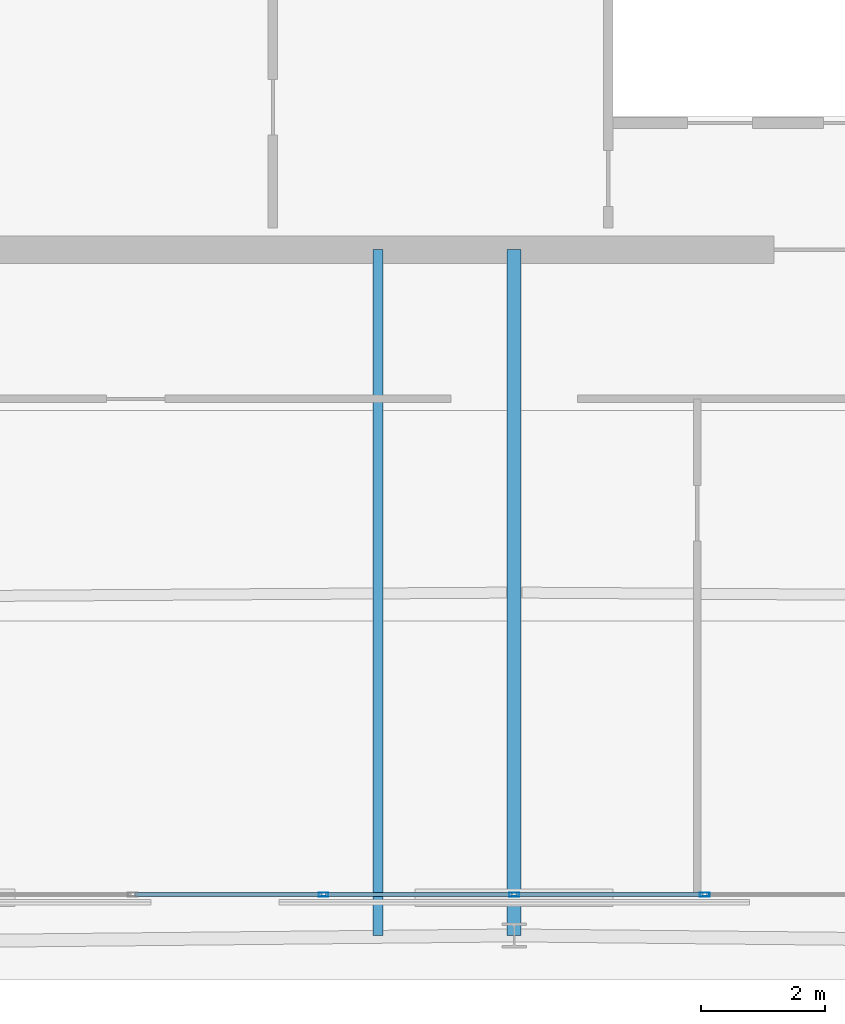
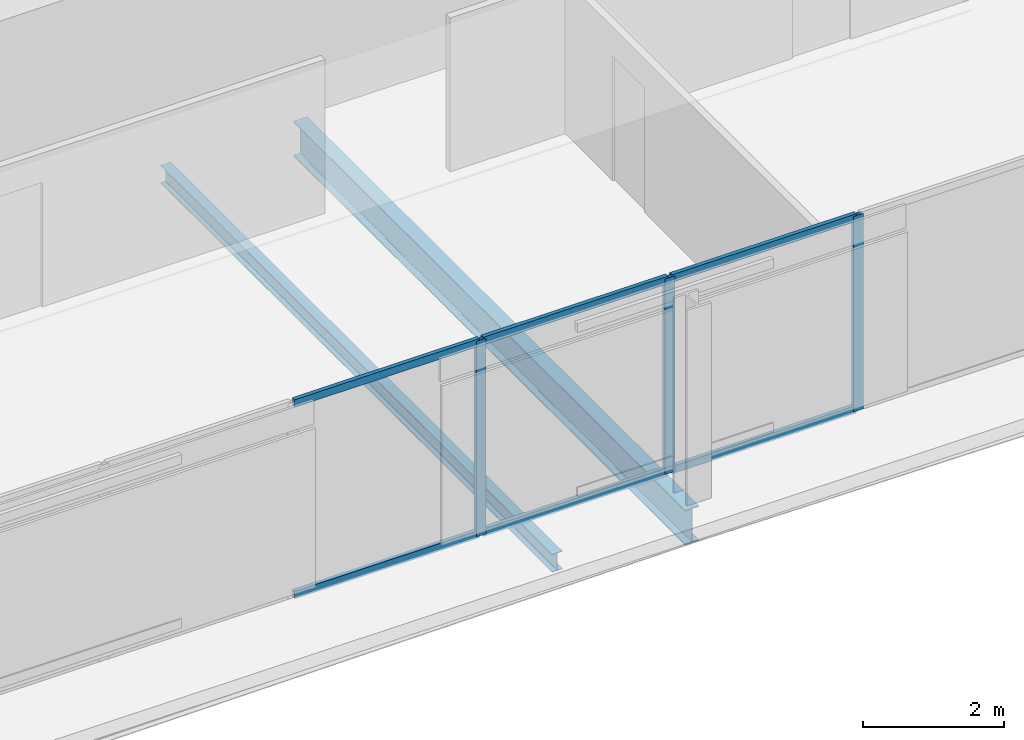
# One storey, part 9 of 39: 9 members, 2 beams, 1 element without a shape of its own.
"""IFC4 building model written with IfcOpenShell, lengths in metres."""

from ifc_helpers import new_model, si_unit, direction, frame, origin, origin_2d, place, context, subcontext, project, spatial, hollow_rectangle, i_section, extrude, material, layer, layer_set, material_profile, profile_set, type_object, element, aggregate, save


model = new_model("IFC4")

# Units and contexts
model_context = context("Model", 3, precision=1e-05, world=origin(), true_north=direction((0.0, 1.0)))
body_context = subcontext(model_context, "Body", "Model", "MODEL_VIEW")
ifc_project = project(units=[si_unit("LENGTHUNIT", "METRE"), si_unit("AREAUNIT", "SQUARE_METRE"), si_unit("VOLUMEUNIT", "CUBIC_METRE"), si_unit("PLANEANGLEUNIT", "RADIAN"), si_unit("MASSUNIT", "GRAM", prefix="KILO")], contexts=[model_context])

# Site, building, storey
site_placement = place(None, origin())
site = spatial("IfcSite", under=ifc_project, at=site_placement, CompositionType="ELEMENT")
building_placement = place(site_placement, origin())
building = spatial("IfcBuilding", under=site, at=building_placement, Name="Caelvoria Tower", CompositionType="ELEMENT")
storey_placement = place(building_placement, frame((0.0, 0.0, 198.60009765625)))
storey = spatial("IfcBuildingStorey", under=building, at=storey_placement, Name="L52", CompositionType="ELEMENT", Elevation=198.60009765625)

# Beam
ifc_material_1 = material(Name="Structural Steel ASTM A992 Gr.50", Category="steel")
ifc_material_profile_1 = material_profile(ifc_material_1, i_section(OverallWidth=0.166015625, OverallDepth=0.31298828125, WebThickness=0.006591796875, FlangeThickness=0.01123046875, FilletRadius=0.011962890625, at=origin_2d()), Name="Structural Steel ASTM A992 Gr.50")
ifc_profile_set_1 = profile_set([ifc_material_profile_1], Name="W310X44.5 - Structural Steel ASTM A992 Gr.50")
beam_type_1 = type_object("IfcBeamType", Name="Composite Floor Intermediate Joist W310X44.5", PredefinedType="JOIST", material=ifc_profile_set_1)
beam_1_placement = place(storey_placement, frame((43.800048828125, 24.0, -0.382080078125), z_axis=(0.0, -1.0, 0.0), x_axis=(1.0, 0.0, 0.0)))
element("IfcBeam", 1, at=beam_1_placement, inside=storey, type_object=beam_type_1, Name="Intermediate Floor Joist L52 South", PredefinedType="JOIST", context=body_context, shape_type="SweptSolid", body=[
    extrude(i_section(OverallWidth=0.166015625, OverallDepth=0.31298828125, WebThickness=0.006591796875, FlangeThickness=0.01123046875, FilletRadius=0.011962890625, at=origin_2d()), origin(), (0.0, 0.0, 1.0), 11.080078125),
])

# Curtain wall, members
ifc_material_2 = material(Name="Anodised Bronze Aluminium and Low-E Glass", Category="aluminium")
ifc_layer = layer(ifc_material_2, 0.175048828125, Name="Anodised Bronze Aluminium and Low-E Glass")
ifc_layer_set = layer_set([ifc_layer], Name="CW System 4 High-Zone Tapered Crystal Facade - Anodised Bronze Aluminium and Low-E Glass")
curtain_wall_type = type_object("IfcCurtainWallType", Name="CW System 4 High-Zone Tapered Crystal Facade", PredefinedType="NOTDEFINED", material=ifc_layer_set)
curtain_wall_placement = place(storey_placement, origin())
curtain_wall = element("IfcCurtainWall", 2, at=curtain_wall_placement, inside=storey, type_object=curtain_wall_type, Name="CW-04 Curtain Wall L52-E0", PredefinedType="NOTDEFINED")
ifc_material_3 = material(Name="Anodised Bronze Architectural Aluminium", Category="aluminium")
ifc_material_profile_2 = material_profile(ifc_material_3, hollow_rectangle(XDim=0.06494140625, YDim=0.159912109375, WallThickness=0.00390625, at=origin_2d()), Name="Anodised Bronze Architectural Aluminium")
ifc_profile_set_2 = profile_set([ifc_material_profile_2], Name="CW_MULL_65X160 - Anodised Bronze Architectural Aluminium")
member_type_1 = type_object("IfcMemberType", Name="Curtain Wall Mullion 65x160 Bronze Aluminium", PredefinedType="MULLION", material=ifc_profile_set_2)
member_1_placement = place(storey_placement, frame((42.919921875, 13.580078125, 0.0), z_axis=(0.0, 0.0, 1.0), x_axis=(0.0, 1.0, 0.0)))
member_1 = element("IfcMember", 3, at=member_1_placement, type_object=member_type_1, Name="CW-04 mullion 5", PredefinedType="MULLION", context=body_context, shape_type="SweptSolid", body=[
    extrude(hollow_rectangle(XDim=0.06494140625, YDim=0.159912109375, WallThickness=0.00390625, at=origin_2d()), origin(), (0.0, 0.0, 1.0), 3.375),
])
member_2_placement = place(storey_placement, frame((46.0, 13.580078125, 0.0), z_axis=(0.0, 0.0, 1.0), x_axis=(0.0, 1.0, 0.0)))
member_2 = element("IfcMember", 4, at=member_2_placement, type_object=member_type_1, Name="CW-04 mullion 6", PredefinedType="MULLION", context=body_context, shape_type="SweptSolid", body=[
    extrude(hollow_rectangle(XDim=0.06494140625, YDim=0.159912109375, WallThickness=0.00390625, at=origin_2d()), origin(), (0.0, 0.0, 1.0), 3.375),
])
member_3_placement = place(storey_placement, frame((49.080078125, 13.580078125, 0.0), z_axis=(0.0, 0.0, 1.0), x_axis=(0.0, 1.0, 0.0)))
member_3 = element("IfcMember", 5, at=member_3_placement, type_object=member_type_1, Name="CW-04 mullion 7", PredefinedType="MULLION", context=body_context, shape_type="SweptSolid", body=[
    extrude(hollow_rectangle(XDim=0.06494140625, YDim=0.159912109375, WallThickness=0.00390625, at=origin_2d()), origin(), (0.0, 0.0, 1.0), 3.375),
])
ifc_material_profile_3 = material_profile(ifc_material_3, hollow_rectangle(XDim=0.06494140625, YDim=0.1298828125, WallThickness=0.00341796875, at=origin_2d()), Name="Anodised Bronze Architectural Aluminium")
ifc_profile_set_3 = profile_set([ifc_material_profile_3], Name="CW_TRAN_65X130 - Anodised Bronze Architectural Aluminium")
member_type_2 = type_object("IfcMemberType", Name="Curtain Wall Transom 65x130 Bronze Aluminium", PredefinedType="USERDEFINED", material=ifc_profile_set_3)
member_4_placement = place(storey_placement, frame((39.87255859375, 13.580078125, 0.032470703125), z_axis=(1.0, 0.0, 0.0), x_axis=(0.0, 1.0, 0.0)))
member_4 = element("IfcMember", 6, at=member_4_placement, type_object=member_type_2, Name="CW-04 transom 4.1", ObjectType="TRANSOM", PredefinedType="USERDEFINED", context=body_context, shape_type="SweptSolid", body=[
    extrude(hollow_rectangle(XDim=0.06494140625, YDim=0.1298828125, WallThickness=0.00341796875, at=origin_2d()), origin(), (0.0, 0.0, 1.0), 3.014892578125),
])
member_5_placement = place(storey_placement, frame((39.87255859375, 13.580078125, 3.34228515625), z_axis=(1.0, 0.0, 0.0), x_axis=(0.0, 1.0, 0.0)))
member_5 = element("IfcMember", 7, at=member_5_placement, type_object=member_type_2, Name="CW-04 transom 4.2", ObjectType="TRANSOM", PredefinedType="USERDEFINED", context=body_context, shape_type="SweptSolid", body=[
    extrude(hollow_rectangle(XDim=0.06494140625, YDim=0.1298828125, WallThickness=0.00341796875, at=origin_2d()), origin(), (0.0, 0.0, 1.0), 3.014892578125),
])
member_6_placement = place(storey_placement, frame((42.952392578125, 13.580078125, 0.032470703125), z_axis=(1.0, 0.0, 0.0), x_axis=(0.0, 1.0, 0.0)))
member_6 = element("IfcMember", 8, at=member_6_placement, type_object=member_type_2, Name="CW-04 transom 5.1", ObjectType="TRANSOM", PredefinedType="USERDEFINED", context=body_context, shape_type="SweptSolid", body=[
    extrude(hollow_rectangle(XDim=0.06494140625, YDim=0.1298828125, WallThickness=0.00341796875, at=origin_2d()), origin(), (0.0, 0.0, 1.0), 3.01513671875),
])
member_7_placement = place(storey_placement, frame((42.952392578125, 13.580078125, 3.34228515625), z_axis=(1.0, 0.0, 0.0), x_axis=(0.0, 1.0, 0.0)))
member_7 = element("IfcMember", 9, at=member_7_placement, type_object=member_type_2, Name="CW-04 transom 5.2", ObjectType="TRANSOM", PredefinedType="USERDEFINED", context=body_context, shape_type="SweptSolid", body=[
    extrude(hollow_rectangle(XDim=0.06494140625, YDim=0.1298828125, WallThickness=0.00341796875, at=origin_2d()), origin(), (0.0, 0.0, 1.0), 3.01513671875),
])
member_8_placement = place(storey_placement, frame((46.032470703125, 13.580078125, 0.032470703125), z_axis=(1.0, 0.0, 0.0), x_axis=(0.0, 1.0, 0.0)))
member_8 = element("IfcMember", 10, at=member_8_placement, type_object=member_type_2, Name="CW-04 transom 6.1", ObjectType="TRANSOM", PredefinedType="USERDEFINED", context=body_context, shape_type="SweptSolid", body=[
    extrude(hollow_rectangle(XDim=0.06494140625, YDim=0.1298828125, WallThickness=0.00341796875, at=origin_2d()), origin(), (0.0, 0.0, 1.0), 3.01513671875),
])
member_9_placement = place(storey_placement, frame((46.032470703125, 13.580078125, 3.34228515625), z_axis=(1.0, 0.0, 0.0), x_axis=(0.0, 1.0, 0.0)))
member_9 = element("IfcMember", 11, at=member_9_placement, type_object=member_type_2, Name="CW-04 transom 6.2", ObjectType="TRANSOM", PredefinedType="USERDEFINED", context=body_context, shape_type="SweptSolid", body=[
    extrude(hollow_rectangle(XDim=0.06494140625, YDim=0.1298828125, WallThickness=0.00341796875, at=origin_2d()), origin(), (0.0, 0.0, 1.0), 3.01513671875),
])
aggregate(curtain_wall, [member_1, member_2, member_3, member_4, member_5, member_6, member_7, member_8, member_9])

# Beam
ifc_material_profile_4 = material_profile(ifc_material_1, i_section(OverallWidth=0.22802734375, OverallDepth=0.60302734375, WebThickness=0.010498046875, FlangeThickness=0.014892578125, FilletRadius=0.01806640625, at=origin_2d()), Name="Structural Steel ASTM A992 Gr.50")
ifc_profile_set_4 = profile_set([ifc_material_profile_4], Name="W610X101 - Structural Steel ASTM A992 Gr.50")
beam_type_2 = type_object("IfcBeamType", Name="Primary Floor Girder W610X101", PredefinedType="BEAM", material=ifc_profile_set_4)
beam_2_placement = place(storey_placement, frame((46.0, 24.0, -0.526611328125), z_axis=(0.0, -1.0, 0.0), x_axis=(1.0, 0.0, 0.0)))
element("IfcBeam", 12, at=beam_2_placement, inside=storey, type_object=beam_type_2, Name="Primary Floor Girder L52-01", PredefinedType="BEAM", context=body_context, shape_type="SweptSolid", body=[
    extrude(i_section(OverallWidth=0.22802734375, OverallDepth=0.60302734375, WebThickness=0.010498046875, FlangeThickness=0.014892578125, FilletRadius=0.01806640625, at=origin_2d()), origin(), (0.0, 0.0, 1.0), 11.080078125),
])

save(model, "model.ifc")
